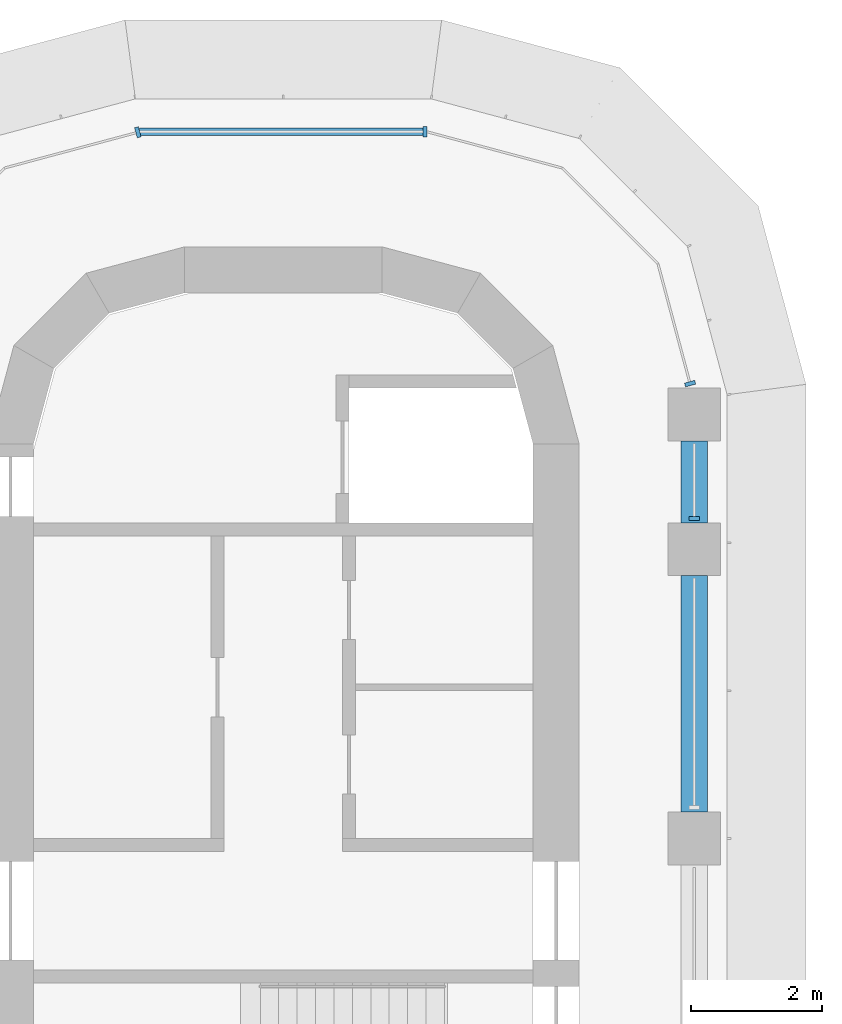
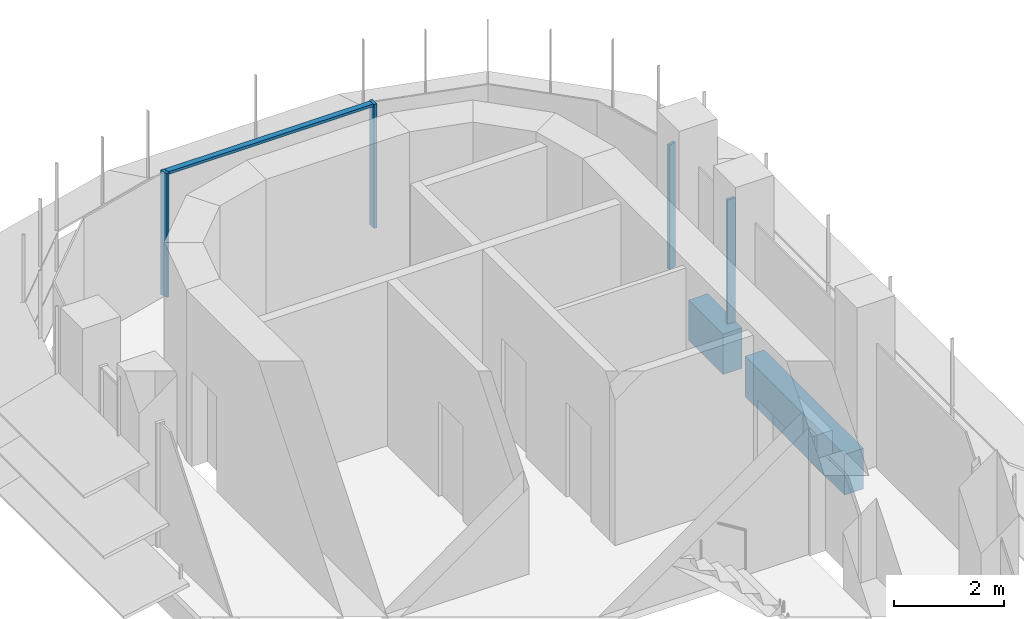
# One storey, part 9 of 19: 5 members, 2 beams, 4 elements without a shape of their own.
"""IFC4 building model written with IfcOpenShell, lengths in metres."""

import ifcopenshell
import ifcopenshell.guid

model = None  # the IFC model being written
_history = None  # IfcOwnerHistory: only IFC2X3 demands one
_inside = {}  # id of a spatial element -> (the spatial element, [elements in it])
_under = {}  # id of a project, library or spatial element -> (it, [spatial elements below it])
_declared = {}  # id of a project -> (the project, [libraries it declares])
_typed = {}  # id of a type object -> (the type object, [elements of that type])
_made_of = {}  # id of a material, layer set ... -> (it, [elements and type objects made of it])


def new_model(schema):
    """Start an empty IFC model of exactly this schema.

    Asked for "IFC4X3", IfcOpenShell would pick the latest addendum, in which some entities
    have other attributes; the version numbers below select the first issue.
    IFC2X3 requires an IfcOwnerHistory on every rooted entity: one is made here for all.
    """
    global model, _history
    if schema == "IFC4X3":
        model = ifcopenshell.file(schema_version=(4, 3, 0, 0))
    else:
        model = ifcopenshell.file(schema=schema)
    _inside.clear()
    _under.clear()
    _declared.clear()
    _typed.clear()
    _made_of.clear()
    _history = None
    if model.schema == "IFC2X3":
        org = make("IfcOrganization", Name="unknown")
        user = make(
            "IfcPersonAndOrganization",
            ThePerson=make("IfcPerson", FamilyName="unknown"),
            TheOrganization=org,
        )
        app = make(
            "IfcApplication",
            ApplicationDeveloper=org,
            Version="unknown",
            ApplicationFullName="unknown",
            ApplicationIdentifier="unknown",
        )
        _history = make(
            "IfcOwnerHistory",
            OwningUser=user,
            OwningApplication=app,
            ChangeAction="ADDED",
            CreationDate=0,
        )
    return model


def make(cls, **values):
    """One entity of the class cls with the attributes given. An attribute that is None is left unset."""
    return model.create_entity(
        cls, **{name: value for name, value in values.items() if value is not None}
    )


def rooted(cls, **values):
    """An entity with a GlobalId (a new one), such as an element, a storey or a relation."""
    return make(cls, GlobalId=ifcopenshell.guid.new(), OwnerHistory=_history, **values)


def si_unit(unit_type, name, prefix=None):
    """IfcSIUnit, for example si_unit("LENGTHUNIT", "METRE", prefix="MILLI")."""
    return make("IfcSIUnit", UnitType=unit_type, Prefix=prefix, Name=name)


def assignment(units):
    """IfcUnitAssignment: the units of a project."""
    return None if units is None else make("IfcUnitAssignment", Units=units)


def point(xyz):
    """IfcCartesianPoint."""
    return None if xyz is None else make("IfcCartesianPoint", Coordinates=xyz)


def direction(xyz):
    """IfcDirection."""
    return None if xyz is None else make("IfcDirection", DirectionRatios=xyz)


def frame(location, z_axis=None, x_axis=None):
    """IfcAxis2Placement3D, a coordinate frame: its origin and axes. An axis left out is left unset."""
    return make(
        "IfcAxis2Placement3D",
        Location=point(location),
        Axis=direction(z_axis),
        RefDirection=direction(x_axis),
    )


def frame_2d(location, x_axis=None):
    """IfcAxis2Placement2D, a coordinate frame in the plane: its origin and x axis."""
    return make(
        "IfcAxis2Placement2D", Location=point(location), RefDirection=direction(x_axis)
    )


def origin():
    """The frame at (0, 0, 0) with its axes left unset."""
    return frame((0.0, 0.0, 0.0))


def origin_2d():
    """The frame at (0, 0) in the plane with its x axis left unset."""
    return frame_2d((0.0, 0.0))


def place(relative_to, where):
    """IfcLocalPlacement: puts the frame where relative to a parent placement (None: the world)."""
    return make(
        "IfcLocalPlacement", PlacementRelTo=relative_to, RelativePlacement=where
    )


def context(
    kind, dimensions, precision=None, world=None, true_north=None, identifier=None
):
    """IfcGeometricRepresentationContext, for example the 3D "Model" context."""
    return make(
        "IfcGeometricRepresentationContext",
        ContextIdentifier=identifier,
        ContextType=kind,
        CoordinateSpaceDimension=dimensions,
        Precision=precision,
        WorldCoordinateSystem=world,
        TrueNorth=true_north,
    )


def subcontext(parent, identifier, kind, view, scale=None):
    """IfcGeometricRepresentationSubContext, for example "Body" below "Model"."""
    return make(
        "IfcGeometricRepresentationSubContext",
        ContextIdentifier=identifier,
        ContextType=kind,
        ParentContext=parent,
        TargetScale=scale,
        TargetView=view,
    )


def project(units=None, contexts=None):
    """IfcProject with its units and contexts."""
    return rooted(
        "IfcProject",
        Name="project",
        RepresentationContexts=contexts,
        UnitsInContext=assignment(units),
    )


def spatial(cls, under=None, at=None, **own):
    """A site, building, storey or space (cls), placed at a placement, below another one or the project."""
    s = rooted(cls, ObjectPlacement=at, **own)
    if under is not None:
        _under.setdefault(under.id(), (under, []))[1].append(s)
    return s


def polyline(points):
    """IfcPolyline through the points."""
    return make("IfcPolyline", Points=[point(p) for p in points])


def profile(cls, at=None, kind="AREA", **sizes):
    """A parametric profile (cls). Its sizes go by their IFC names, for example OverallWidth=200.0."""
    return make(cls, ProfileType=kind, Position=at, **sizes)


def rectangle(**sizes):
    """IfcRectangleProfileDef."""
    return profile("IfcRectangleProfileDef", **sizes)


def outline(outer, holes=None, kind="AREA"):
    """IfcArbitraryClosedProfileDef: a profile drawn as a closed curve; with holes, ...WithVoids."""
    if holes is None:
        return make("IfcArbitraryClosedProfileDef", ProfileType=kind, OuterCurve=outer)
    return make(
        "IfcArbitraryProfileDefWithVoids",
        ProfileType=kind,
        OuterCurve=outer,
        InnerCurves=holes,
    )


def extrude(swept, where, along, depth):
    """IfcExtrudedAreaSolid: the profile swept, set in the frame where, extruded along a direction by depth."""
    return make(
        "IfcExtrudedAreaSolid",
        SweptArea=swept,
        Position=where,
        ExtrudedDirection=direction(along),
        Depth=depth,
    )


def shape(context_of_items, identifier, shape_type, items):
    """IfcShapeRepresentation: the items that make up one representation, for example the "Body"."""
    return make(
        "IfcShapeRepresentation",
        ContextOfItems=context_of_items,
        RepresentationIdentifier=identifier,
        RepresentationType=shape_type,
        Items=items,
    )


def source(mapping_origin, context_of_items, identifier, shape_type, items):
    """IfcRepresentationMap: a shape defined once, which mapped items show again and again."""
    return make(
        "IfcRepresentationMap",
        MappingOrigin=mapping_origin,
        MappedRepresentation=shape(context_of_items, identifier, shape_type, items),
    )


def transform(
    local_origin,
    x_axis=None,
    y_axis=None,
    z_axis=None,
    scale=None,
    scale2=None,
    scale3=None,
    uniform=True,
):
    """IfcCartesianTransformationOperator3D, or its non-uniform kind. x_axis, y_axis, z_axis: its Axis1, 2, 3."""
    if uniform:
        return make(
            "IfcCartesianTransformationOperator3D",
            Axis1=direction(x_axis),
            Axis2=direction(y_axis),
            LocalOrigin=point(local_origin),
            Scale=scale,
            Axis3=direction(z_axis),
        )
    return make(
        "IfcCartesianTransformationOperator3DnonUniform",
        Axis1=direction(x_axis),
        Axis2=direction(y_axis),
        LocalOrigin=point(local_origin),
        Scale=scale,
        Axis3=direction(z_axis),
        Scale2=scale2,
        Scale3=scale3,
    )


def mapped(mapping_source, mapping_target):
    """IfcMappedItem: shows the shape of a source again, moved by a transform."""
    return make(
        "IfcMappedItem", MappingSource=mapping_source, MappingTarget=mapping_target
    )


def material(Name=None, Category=None):
    """IfcMaterial."""
    return make("IfcMaterial", Name=Name, Category=Category)


def material_profile(
    of_material, cross_section, Name=None, Category=None, Priority=None
):
    """IfcMaterialProfile: a cross section and its material."""
    return make(
        "IfcMaterialProfile",
        Name=Name,
        Material=of_material,
        Profile=cross_section,
        Priority=Priority,
        Category=Category,
    )


def profile_set(profiles, Name=None, composite=None):
    """IfcMaterialProfileSet."""
    return make(
        "IfcMaterialProfileSet",
        Name=Name,
        MaterialProfiles=profiles,
        CompositeProfile=composite,
    )


def made_of(thing, what):
    """Note that an element or type object is made of a material, layer set ...; save() writes the relation."""
    if what is not None:
        _made_of.setdefault(what.id(), (what, []))[1].append(thing)
    return thing


def type_object(cls, material=None, **own):
    """A type object (cls), such as IfcWallType, which elements share."""
    return made_of(rooted(cls, **own), material)


def element(
    cls,
    number,
    at=None,
    inside=None,
    cuts=None,
    type_object=None,
    material=None,
    context=None,
    identifier="Body",
    shape_type=None,
    held_by="IfcProductDefinitionShape",
    body=None,
    shapes=None,
    **own,
):
    """One element of the class cls, such as IfcWall. Its Tag is "e" and its number.

    at: its placement. inside: the storey or other place that contains it. cuts: it is an
    opening in that element (IfcRelVoidsElement). A single representation is given by context,
    identifier, shape_type and body (its items); several are given by shapes. held_by: the class
    of the entity that holds the representations. save() writes the other relations.
    """
    e = rooted(cls, Tag="e%d" % number, ObjectPlacement=at, **own)
    if body is not None:
        shapes = [shape(context, identifier, shape_type, body)]
    if shapes is not None:
        e.Representation = make(held_by, Representations=shapes)
    if inside is not None:
        _inside.setdefault(inside.id(), (inside, []))[1].append(e)
    if cuts is not None:
        rooted(
            "IfcRelVoidsElement", RelatingBuildingElement=cuts, RelatedOpeningElement=e
        )
    if type_object is not None:
        _typed.setdefault(type_object.id(), (type_object, []))[1].append(e)
    return made_of(e, material)


def aggregate(whole, parts):
    """IfcRelAggregates: a whole, such as a stair, and the parts it consists of."""
    return rooted("IfcRelAggregates", RelatingObject=whole, RelatedObjects=parts)


def save(model, path):
    """Write the relations noted so far, then the file.

    IfcRelAggregates (storeys below a building ...), IfcRelContainedInSpatialStructure (elements
    in a storey), IfcRelDefinesByType, IfcRelAssociatesMaterial and IfcRelDeclares: one each for
    every whole, place, type object, material and project.
    """
    for whole, parts in _under.values():
        aggregate(whole, parts)
    for where, things in _inside.values():
        rooted(
            "IfcRelContainedInSpatialStructure",
            RelatedElements=things,
            RelatingStructure=where,
        )
    for kind, things in _typed.values():
        rooted("IfcRelDefinesByType", RelatedObjects=things, RelatingType=kind)
    for what, things in _made_of.values():
        rooted("IfcRelAssociatesMaterial", RelatedObjects=things, RelatingMaterial=what)
    for by, libraries in _declared.values():
        rooted("IfcRelDeclares", RelatingContext=by, RelatedDefinitions=libraries)
    model.write(path)


model = new_model("IFC4")

# Units and contexts
model_context = context("Model", 3, precision=1e-05, world=origin(), true_north=direction((0.0, 1.0)))
body_context = subcontext(model_context, "Body", "Model", "MODEL_VIEW")
ifc_project = project(units=[si_unit("LENGTHUNIT", "METRE"), si_unit("AREAUNIT", "SQUARE_METRE"), si_unit("VOLUMEUNIT", "CUBIC_METRE"), si_unit("PLANEANGLEUNIT", "RADIAN"), si_unit("MASSUNIT", "GRAM", prefix="KILO")], contexts=[model_context])

# Site, building, storey
site_placement = place(None, origin())
site = spatial("IfcSite", under=ifc_project, at=site_placement, CompositionType="ELEMENT")
building_placement = place(site_placement, origin())
building = spatial("IfcBuilding", under=site, at=building_placement, Name="Zarbagh Exchange Tower", CompositionType="ELEMENT")
storey_placement = place(building_placement, frame((0.0, 0.0, 179.0)))
storey = spatial("IfcBuildingStorey", under=building, at=storey_placement, Name="L43", CompositionType="ELEMENT", Elevation=179.0)

# Beams
ifc_material_1 = material(Name="Concrete C50/60", Category="concrete")
ifc_material_profile = material_profile(ifc_material_1, rectangle(XDim=0.39990234375, YDim=0.89990234375, at=origin_2d()), Name="RC spandrel beam 400 x 900 C50/60")
ifc_profile_set = profile_set([ifc_material_profile], Name="Concrete C50/60")
beam_type = type_object("IfcBeamType", Name="RC spandrel beam 400 x 900 C50/60", PredefinedType="SPANDREL", material=ifc_profile_set)
beam_1_placement = place(storey_placement, frame((6.25, 26.300048828125, -0.60009765625), z_axis=(0.0, -1.0, 0.0), x_axis=(1.0, 0.0, 0.0)))
element("IfcBeam", 1, at=beam_1_placement, inside=storey, type_object=beam_type, Name="RC spandrel beam", PredefinedType="SPANDREL", context=body_context, shape_type="SweptSolid", body=[
    extrude(rectangle(XDim=0.39990234375, YDim=0.89990234375, at=origin_2d()), origin(), (0.0, 0.0, 1.0), 1.25),
])
beam_2_placement = place(storey_placement, frame((6.25, 24.25, -0.60009765625), z_axis=(0.0, -1.0, 0.0), x_axis=(1.0, 0.0, 0.0)))
element("IfcBeam", 2, at=beam_2_placement, inside=storey, type_object=beam_type, Name="RC spandrel beam", PredefinedType="SPANDREL", context=body_context, shape_type="SweptSolid", body=[
    extrude(rectangle(XDim=0.39990234375, YDim=0.89990234375, at=origin_2d()), origin(), (0.0, 0.0, 1.0), 3.60009765625),
])

# Curtain wall, member
ifc_material_2 = material(Name="Anodised aluminium frame and glazing", Category="aluminium")
curtain_wall_type = type_object("IfcCurtainWallType", Name="CWB Ribbon glazing, upper zones", PredefinedType="NOTDEFINED", material=ifc_material_2)
curtain_wall_1_placement = place(storey_placement, origin())
curtain_wall_1 = element("IfcCurtainWall", 3, at=curtain_wall_1_placement, inside=storey, type_object=curtain_wall_type, Name="CWB20 curtain wall", PredefinedType="NOTDEFINED")
ifc_material_3 = material(Name="Anodised aluminium frame", Category="aluminium")
member_type_1 = type_object("IfcMemberType", Name="MUB Mullion, anodised aluminium frame", PredefinedType="MULLION", material=ifc_material_3)
shared_shape_1 = source(origin(), body_context, "Body", "SweptSolid", [
    extrude(outline(polyline([(0.0, -0.080078125), (0.06005859375, -0.080078125), (0.06005859375, 0.080078125), (0.0, 0.080078125), (0.0, -0.080078125)])), origin(), (0.0, 0.0, 1.0), 2.75),
])
placement = place(storey_placement, origin())
member_1 = element("IfcMember", 4, at=placement, type_object=member_type_1, Name="CWB20 mullion 4.1", PredefinedType="MULLION", context=body_context, shape_type="MappedRepresentation", body=[
    mapped(shared_shape_1, transform((6.25, 25.090087890625, 0.0), x_axis=(0.0, 1.0, 0.0), y_axis=(-1.0, 0.0, 0.0), z_axis=(0.0, 0.0, 1.0))),
])
aggregate(curtain_wall_1, [member_1])

curtain_wall_2_placement = place(storey_placement, origin())
curtain_wall_2 = element("IfcCurtainWall", 5, at=curtain_wall_2_placement, inside=storey, type_object=curtain_wall_type, Name="CWB21 curtain wall", PredefinedType="NOTDEFINED")
member_2 = element("IfcMember", 6, at=placement, type_object=member_type_1, Name="CWB21 mullion 1.1", PredefinedType="MULLION", context=body_context, shape_type="MappedRepresentation", body=[
    mapped(shared_shape_1, transform((6.19482421875, 27.139892578125, 0.0), x_axis=(-0.258824779902, 0.965924289636, 0.0), y_axis=(-0.965924289636, -0.258824779902, 0.0), z_axis=(0.0, 0.0, 1.0))),
])
aggregate(curtain_wall_2, [member_2])

curtain_wall_3_placement = place(storey_placement, origin())
curtain_wall_3 = element("IfcCurtainWall", 7, at=curtain_wall_3_placement, inside=storey, type_object=curtain_wall_type, Name="CWB24 curtain wall", PredefinedType="NOTDEFINED")
member_3 = element("IfcMember", 8, at=placement, type_object=member_type_1, Name="CWB24 mullion 1.1", PredefinedType="MULLION", context=body_context, shape_type="MappedRepresentation", body=[
    mapped(shared_shape_1, transform((2.18408203125, 31.0, 0.0), x_axis=(-1.0, 0.0, 0.0), y_axis=(0.0, -1.0, 0.0), z_axis=(0.0, 0.0, 1.0))),
])

curtain_wall_4_placement = place(storey_placement, origin())
curtain_wall_4 = element("IfcCurtainWall", 9, at=curtain_wall_4_placement, inside=storey, type_object=curtain_wall_type, Name="CWB25 curtain wall", PredefinedType="NOTDEFINED")
member_4 = element("IfcMember", 10, at=placement, type_object=member_type_1, Name="CWB25 mullion 1.1", PredefinedType="MULLION", context=body_context, shape_type="MappedRepresentation", body=[
    mapped(shared_shape_1, transform((-2.18408203125, 31.0, 0.0), x_axis=(-0.965924289636, -0.258824779902, 0.0), y_axis=(0.258824779902, -0.965924289636, 0.0), z_axis=(0.0, 0.0, 1.0))),
])
aggregate(curtain_wall_4, [member_4])

# Member
member_type_2 = type_object("IfcMemberType", Name="TRB Transom, anodised aluminium frame", PredefinedType="USERDEFINED", material=ifc_material_3)
shared_shape_2 = source(origin(), body_context, "Body", "SweptSolid", [
    extrude(outline(polyline([(-0.06005859375, -0.06005859375), (0.0, -0.06005859375), (0.0, 0.06005859375), (-0.06005859375, 0.06005859375), (-0.06005859375, -0.06005859375)])), origin(), (0.0, 0.0, 1.0), 4.308349609375),
])
member_5 = element("IfcMember", 11, at=placement, type_object=member_type_2, Name="CWB24 transom 1.1", ObjectType="TRANSOM", PredefinedType="USERDEFINED", context=body_context, shape_type="MappedRepresentation", body=[
    mapped(shared_shape_2, transform((2.124267578125, 31.0, 2.75), x_axis=(0.0, 0.0, 1.0), y_axis=(0.0, 1.0, 0.0), z_axis=(-1.0, 0.0, 0.0))),
])

aggregate(curtain_wall_3, [member_3, member_5])

save(model, "model.ifc")
